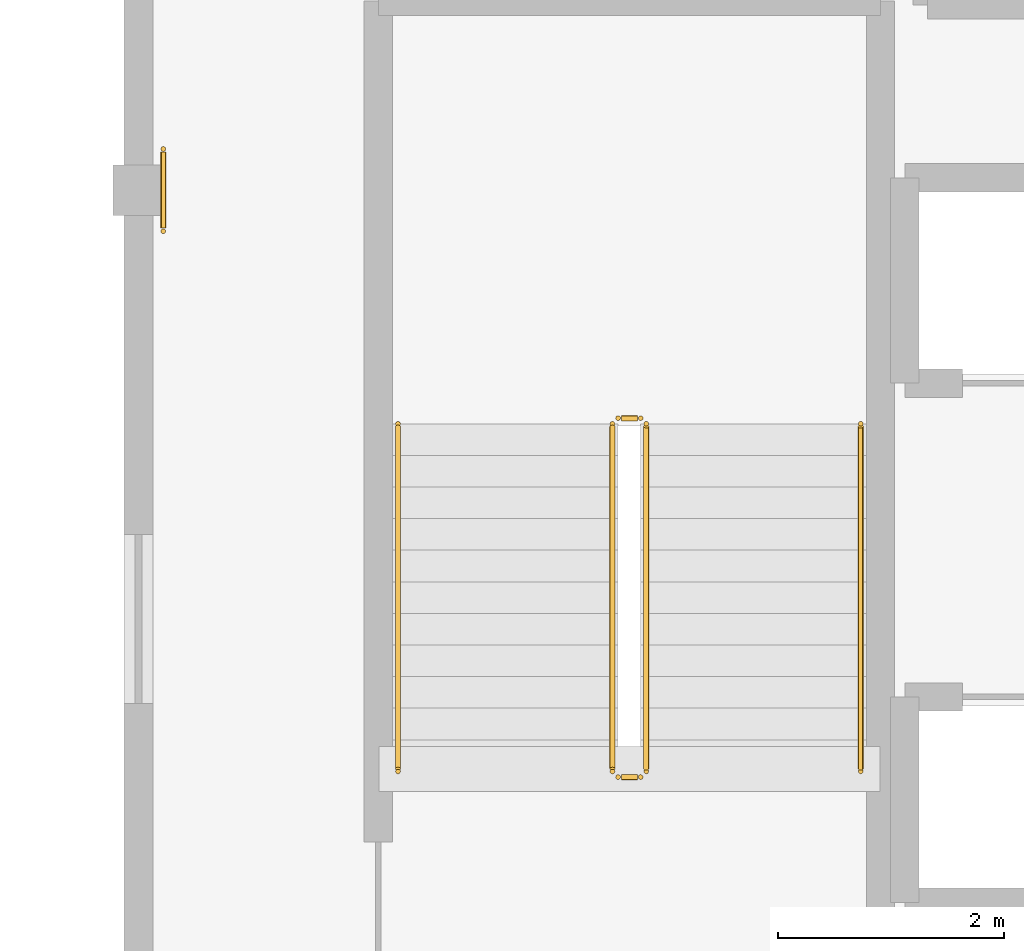
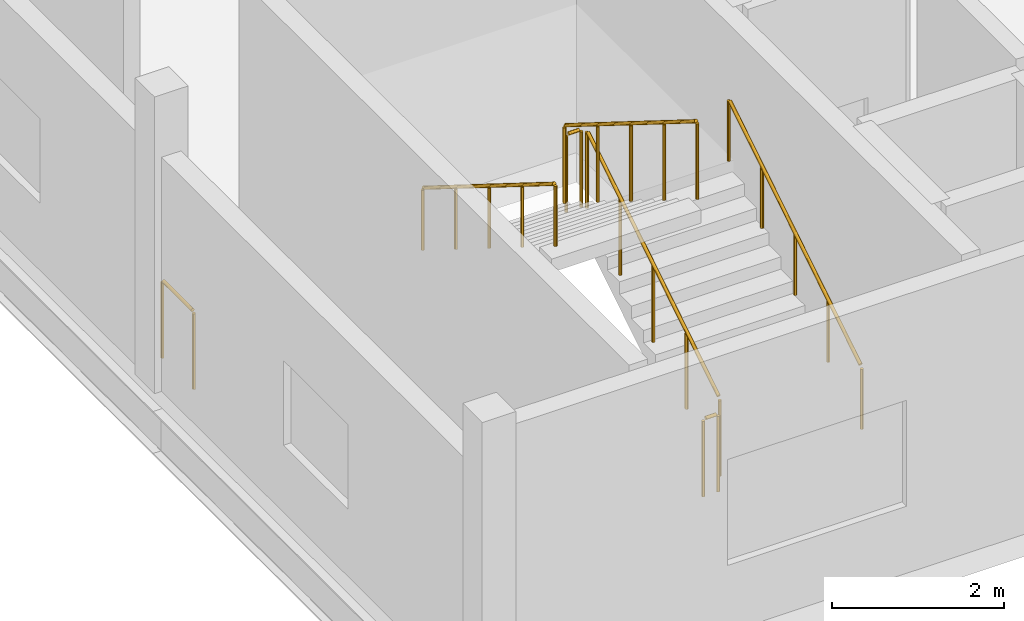
# One storey, part 9 of 13: 7 railings.
"""IFC4 building model written with IfcOpenShell, lengths in metres."""

from ifc_helpers import new_model, si_unit, direction, frame, origin, origin_2d, place, context, subcontext, project, spatial, circle, extrude, material, type_object, element, save


model = new_model("IFC4")

# Units and contexts
model_context = context("Model", 3, precision=1e-05, world=origin(), true_north=direction((0.0, 1.0)))
body_context = subcontext(model_context, "Body", "Model", "MODEL_VIEW")
ifc_project = project(units=[si_unit("LENGTHUNIT", "METRE"), si_unit("AREAUNIT", "SQUARE_METRE"), si_unit("VOLUMEUNIT", "CUBIC_METRE"), si_unit("PLANEANGLEUNIT", "RADIAN"), si_unit("MASSUNIT", "GRAM", prefix="KILO")], contexts=[model_context])

# Site, building, storey
site_placement = place(None, origin())
site = spatial("IfcSite", under=ifc_project, at=site_placement, CompositionType="ELEMENT")
building_placement = place(site_placement, origin())
building = spatial("IfcBuilding", under=site, at=building_placement, Name="Zuvorla Pavilion Media Centre", CompositionType="ELEMENT")
storey_placement = place(building_placement, frame((0.0, 0.0, 22.199951171875)))
storey = spatial("IfcBuildingStorey", under=building, at=storey_placement, Name="L05", CompositionType="ELEMENT", Elevation=22.199951171875)

# Railings
ifc_material_1 = material(Name="Powder-coated steel balustrade guard", Category="steel")
railing_type_1 = type_object("IfcRailingType", Name="RL-INT-GRD", PredefinedType="BALUSTRADE", material=ifc_material_1)
railing_1_placement = place(storey_placement, frame((71.300048828125, 8.449951171875, 0.175048828125)))
element("IfcRailing", 1, at=railing_1_placement, inside=storey, type_object=railing_type_1, Name="L05 ST-01 stair guard 1", PredefinedType="BALUSTRADE", context=body_context, shape_type="SweptSolid", body=[
    extrude(circle(Radius=0.02392578125, at=origin_2d()), frame((0.0, 0.0244140625, 1.111328125), z_axis=(0.0, 0.847998304005, 0.529998940003), x_axis=(-1.0, 0.0, 0.0)), (0.0, 0.0, 1.0), 3.574462890625),
    extrude(circle(Radius=0.02099609375, at=origin_2d()), origin(), (0.0, 0.0, 1.0), 1.070068359375),
    extrude(circle(Radius=0.02099609375, at=origin_2d()), frame((0.0, 0.77001953125, 0.481201171875)), (0.0, 0.0, 1.0), 1.070068359375),
    extrude(circle(Radius=0.02099609375, at=origin_2d()), frame((0.0, 1.5400390625, 0.96240234375)), (0.0, 0.0, 1.0), 1.070068359375),
    extrude(circle(Radius=0.02099609375, at=origin_2d()), frame((0.0, 2.31005859375, 1.44384765625)), (0.0, 0.0, 1.0), 1.070068359375),
    extrude(circle(Radius=0.02099609375, at=origin_2d()), frame((0.0, 3.080078125, 1.925048828125)), (0.0, 0.0, 1.0), 1.070068359375),
])
railing_2_placement = place(storey_placement, frame((71.25, 11.580078125, 2.10009765625)))
element("IfcRailing", 2, at=railing_2_placement, inside=storey, type_object=railing_type_1, Name="L05 ST-01 stair guard 2", PredefinedType="BALUSTRADE", context=body_context, shape_type="SweptSolid", body=[
    extrude(circle(Radius=0.02392578125, at=origin_2d()), frame((-0.02880859375, 0.0, 1.09619140625), z_axis=(-1.0, 0.0, 0.0), x_axis=(0.0, -1.0, 0.0)), (0.0, 0.0, 1.0), 0.142333984375),
    extrude(circle(Radius=0.02099609375, at=origin_2d()), origin(), (0.0, 0.0, 1.0), 1.070068359375),
    extrude(circle(Radius=0.02099609375, at=origin_2d()), frame((-0.199951171875, 0.0, 0.0)), (0.0, 0.0, 1.0), 1.070068359375),
])
railing_3_placement = place(storey_placement, frame((71.0, 11.530029296875, 2.275146484375)))
element("IfcRailing", 3, at=railing_3_placement, inside=storey, type_object=railing_type_1, Name="L05 ST-01 stair guard 3", PredefinedType="BALUSTRADE", context=body_context, shape_type="SweptSolid", body=[
    extrude(circle(Radius=0.02392578125, at=origin_2d()), frame((0.0, -0.0244140625, 1.111328125), z_axis=(0.0, -0.848028513186, 0.529950602248), x_axis=(1.0, 0.0, 0.0)), (0.0, 0.0, 1.0), 3.57421875),
    extrude(circle(Radius=0.02099609375, at=origin_2d()), origin(), (0.0, 0.0, 1.0), 1.070068359375),
    extrude(circle(Radius=0.02099609375, at=origin_2d()), frame((0.0, -0.77001953125, 0.481201171875)), (0.0, 0.0, 1.0), 1.070068359375),
    extrude(circle(Radius=0.02099609375, at=origin_2d()), frame((0.0, -1.5400390625, 0.96240234375)), (0.0, 0.0, 1.0), 1.070068359375),
    extrude(circle(Radius=0.02099609375, at=origin_2d()), frame((0.0, -2.31005859375, 1.443603515625)), (0.0, 0.0, 1.0), 1.070068359375),
    extrude(circle(Radius=0.02099609375, at=origin_2d()), frame((0.0, -3.080078125, 1.9248046875)), (0.0, 0.0, 1.0), 1.070068359375),
])
railing_4_placement = place(storey_placement, frame((71.25, 8.39990234375, 0.0)))
element("IfcRailing", 4, at=railing_4_placement, inside=storey, type_object=railing_type_1, Name="L05 ST-01 stair guard 4", PredefinedType="BALUSTRADE", context=body_context, shape_type="SweptSolid", body=[
    extrude(circle(Radius=0.02392578125, at=origin_2d()), frame((-0.02880859375, 0.0, 1.09619140625), z_axis=(-1.0, 0.0, 0.0), x_axis=(0.0, -1.0, 0.0)), (0.0, 0.0, 1.0), 0.142333984375),
    extrude(circle(Radius=0.02099609375, at=origin_2d()), origin(), (0.0, 0.0, 1.0), 1.070068359375),
    extrude(circle(Radius=0.02099609375, at=origin_2d()), frame((-0.199951171875, 0.0, 0.0)), (0.0, 0.0, 1.0), 1.070068359375),
])
railing_5_placement = place(storey_placement, frame((67.02001953125, 13.235107421875, 0.0)))
element("IfcRailing", 5, at=railing_5_placement, inside=storey, type_object=railing_type_1, Name="L05 slab edge guard 129", PredefinedType="BALUSTRADE", context=body_context, shape_type="SweptSolid", body=[
    extrude(circle(Radius=0.02392578125, at=origin_2d()), frame((0.0, 0.02880859375, 1.09619140625), z_axis=(0.0, 1.0, 0.0), x_axis=(-1.0, 0.0, 0.0)), (0.0, 0.0, 1.0), 0.67236328125),
    extrude(circle(Radius=0.02099609375, at=origin_2d()), origin(), (0.0, 0.0, 1.0), 1.070068359375),
    extrude(circle(Radius=0.02099609375, at=origin_2d()), frame((0.0, 0.72998046875, 0.0)), (0.0, 0.0, 1.0), 1.070068359375),
])
ifc_material_2 = material(Name="Brushed stainless steel tubular handrail", Category="steel")
railing_type_2 = type_object("IfcRailingType", Name="RL-INT-HND", PredefinedType="HANDRAIL", material=ifc_material_2)
railing_6_placement = place(storey_placement, frame((73.199951171875, 8.449951171875, 0.175048828125)))
element("IfcRailing", 6, at=railing_6_placement, inside=storey, type_object=railing_type_2, Name="L05 ST-01 handrail 1", PredefinedType="HANDRAIL", context=body_context, shape_type="SweptSolid", body=[
    extrude(circle(Radius=0.02392578125, at=origin_2d()), frame((0.0, 0.0244140625, 0.89111328125), z_axis=(0.0, 0.847998304005, 0.529998940003), x_axis=(-1.0, 0.0, 0.0)), (0.0, 0.0, 1.0), 3.574462890625),
    extrude(circle(Radius=0.02099609375, at=origin_2d()), origin(), (0.0, 0.0, 1.0), 0.849853515625),
    extrude(circle(Radius=0.02099609375, at=origin_2d()), frame((0.0, 0.77001953125, 0.481201171875)), (0.0, 0.0, 1.0), 0.849853515625),
    extrude(circle(Radius=0.02099609375, at=origin_2d()), frame((0.0, 1.5400390625, 0.96240234375)), (0.0, 0.0, 1.0), 0.849853515625),
    extrude(circle(Radius=0.02099609375, at=origin_2d()), frame((0.0, 2.31005859375, 1.44384765625)), (0.0, 0.0, 1.0), 0.849853515625),
    extrude(circle(Radius=0.02099609375, at=origin_2d()), frame((0.0, 3.080078125, 1.925048828125)), (0.0, 0.0, 1.0), 0.849853515625),
])
railing_7_placement = place(storey_placement, frame((69.10009765625, 11.530029296875, 2.275146484375)))
element("IfcRailing", 7, at=railing_7_placement, inside=storey, type_object=railing_type_2, Name="L05 ST-01 handrail 2", PredefinedType="HANDRAIL", context=body_context, shape_type="SweptSolid", body=[
    extrude(circle(Radius=0.02392578125, at=origin_2d()), frame((0.0, -0.0244140625, 0.89111328125), z_axis=(0.0, -0.848028513186, 0.529950602248), x_axis=(1.0, 0.0, 0.0)), (0.0, 0.0, 1.0), 3.57421875),
    extrude(circle(Radius=0.02099609375, at=origin_2d()), origin(), (0.0, 0.0, 1.0), 0.849853515625),
    extrude(circle(Radius=0.02099609375, at=origin_2d()), frame((0.0, -0.77001953125, 0.481201171875)), (0.0, 0.0, 1.0), 0.849853515625),
    extrude(circle(Radius=0.02099609375, at=origin_2d()), frame((0.0, -1.5400390625, 0.96240234375)), (0.0, 0.0, 1.0), 0.849853515625),
    extrude(circle(Radius=0.02099609375, at=origin_2d()), frame((0.0, -2.31005859375, 1.443603515625)), (0.0, 0.0, 1.0), 0.849853515625),
    extrude(circle(Radius=0.02099609375, at=origin_2d()), frame((0.0, -3.080078125, 1.9248046875)), (0.0, 0.0, 1.0), 0.849853515625),
])

save(model, "model.ifc")
